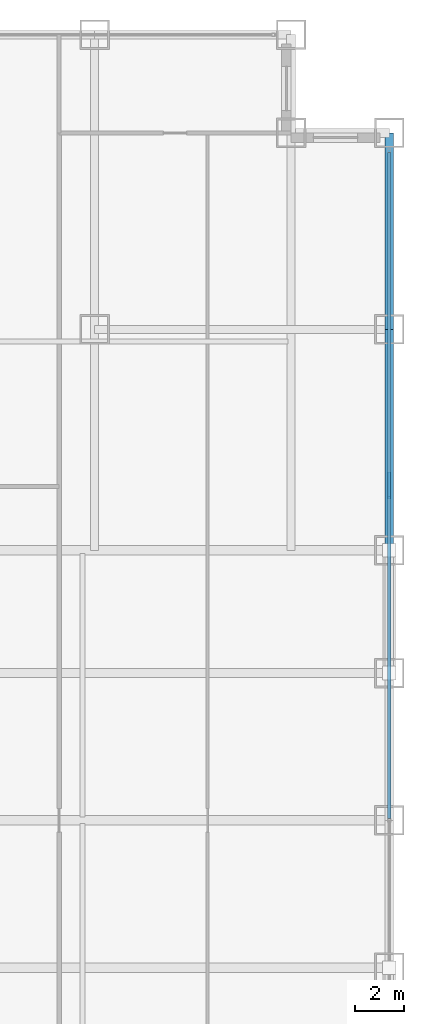
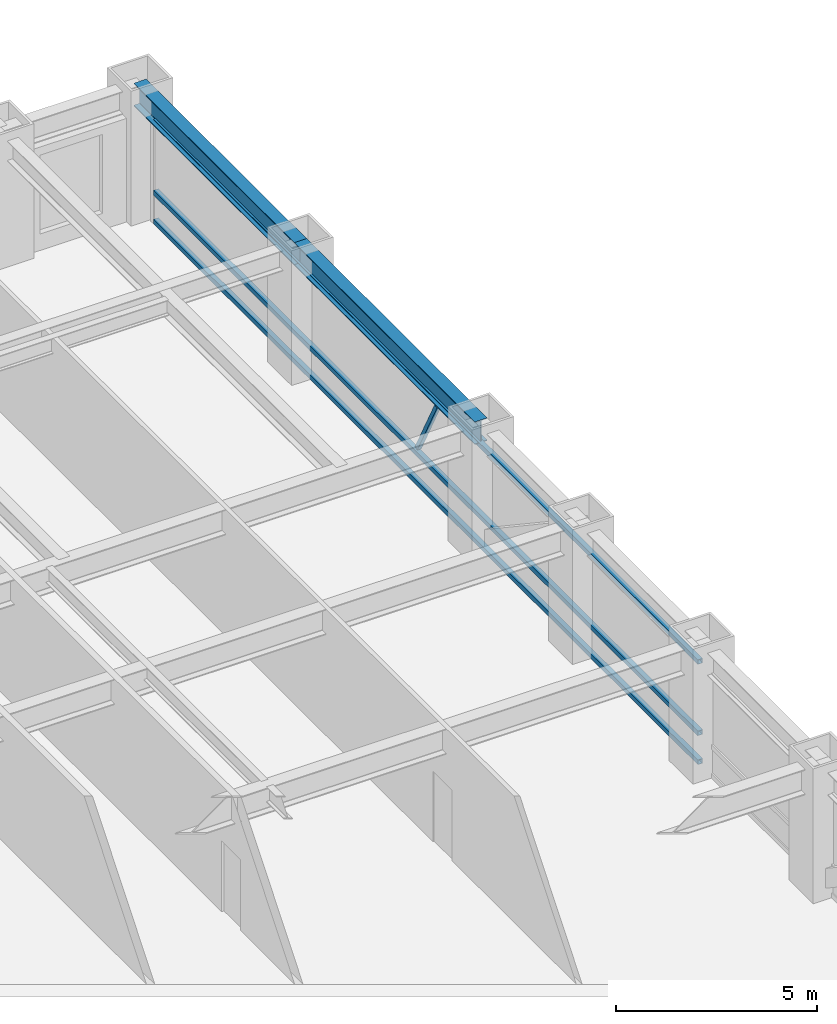
# One storey, part 15 of 27: 4 members, 2 beams, 1 element without a shape of its own.
"""IFC4 building model written with IfcOpenShell, lengths in metres."""

from ifc_helpers import new_model, si_unit, direction, frame, origin, origin_2d, place, context, subcontext, project, spatial, hollow_rectangle, i_section, extrude, source, transform, mapped, material, material_profile, profile_set, type_object, element, aggregate, save


model = new_model("IFC4")

# Units and contexts
model_context = context("Model", 3, precision=1e-05, world=origin(), true_north=direction((0.0, 1.0)))
body_context = subcontext(model_context, "Body", "Model", "MODEL_VIEW")
ifc_project = project(units=[si_unit("LENGTHUNIT", "METRE"), si_unit("AREAUNIT", "SQUARE_METRE"), si_unit("VOLUMEUNIT", "CUBIC_METRE"), si_unit("PLANEANGLEUNIT", "RADIAN"), si_unit("MASSUNIT", "GRAM", prefix="KILO")], contexts=[model_context])

# Site, building, storey
site_placement = place(None, origin())
site = spatial("IfcSite", under=ifc_project, at=site_placement, CompositionType="ELEMENT")
building_placement = place(site_placement, origin())
building = spatial("IfcBuilding", under=site, at=building_placement, Name="Khorayat Bourse Tower", CompositionType="ELEMENT")
storey_placement = place(building_placement, frame((0.0, 0.0, 140.60009765625)))
storey = spatial("IfcBuildingStorey", under=building, at=storey_placement, Name="L32", CompositionType="ELEMENT", Elevation=140.60009765625)

# Beams
ifc_material_1 = material(Name="Steel ASTM A992 Grade 50", Category="steel")
ifc_material_profile_1 = material_profile(ifc_material_1, i_section(OverallWidth=0.35498046875, OverallDepth=0.695068359375, WebThickness=0.015380859375, FlangeThickness=0.02490234375, FilletRadius=0.01806640625, at=origin_2d()), Name="W690X217")
ifc_profile_set_1 = profile_set([ifc_material_profile_1], Name="Steel ASTM A992 Grade 50")
beam_type = type_object("IfcBeamType", Name="BM-SPAN-690", PredefinedType="SPANDREL", material=ifc_profile_set_1)
shared_shape_1 = source(origin(), body_context, "Body", "SweptSolid", [
    extrude(i_section(OverallWidth=0.35498046875, OverallDepth=0.695068359375, WebThickness=0.015380859375, FlangeThickness=0.02490234375, FilletRadius=0.01806640625, at=origin_2d()), origin(), (0.0, 0.0, 1.0), 9.0),
])
beam_1_placement = place(storey_placement, frame((32.0, 11.0, 3.492431640625), z_axis=(0.0, 1.0, 0.0), x_axis=(-1.0, 0.0, 0.0)))
element("IfcBeam", 1, at=beam_1_placement, inside=storey, type_object=beam_type, Name="L32 BM-SPAN-690 BM-L32-SPN-040", PredefinedType="SPANDREL", context=body_context, shape_type="MappedRepresentation", body=[
    mapped(shared_shape_1, transform((0.0, 0.0, 0.0), scale=1.0)),
])
shared_shape_2 = source(origin(), body_context, "Body", "SweptSolid", [
    extrude(i_section(OverallWidth=0.35498046875, OverallDepth=0.695068359375, WebThickness=0.015380859375, FlangeThickness=0.02490234375, FilletRadius=0.01806640625, at=origin_2d()), origin(), (0.0, 0.0, 1.0), 8.0),
])
beam_2_placement = place(storey_placement, frame((32.0, 20.0, 3.492431640625), z_axis=(0.0, 1.0, 0.0), x_axis=(-1.0, 0.0, 0.0)))
element("IfcBeam", 2, at=beam_2_placement, inside=storey, type_object=beam_type, Name="L32 BM-SPAN-690 BM-L32-SPN-041", PredefinedType="SPANDREL", context=body_context, shape_type="MappedRepresentation", body=[
    mapped(shared_shape_2, transform((0.0, 0.0, 0.0), scale=1.0)),
])

# Curtain wall, members
ifc_material_2 = material(Name="Aluminium EN AW-6063 T6", Category="aluminium")
curtain_wall_type = type_object("IfcCurtainWallType", Name="CW-SYS-02", PredefinedType="NOTDEFINED", material=ifc_material_2)
curtain_wall_placement = place(storey_placement, origin())
curtain_wall = element("IfcCurtainWall", 3, at=curtain_wall_placement, inside=storey, type_object=curtain_wall_type, Name="L32 Curtain Wall CW-L32-E1", PredefinedType="NOTDEFINED")
ifc_material_profile_2 = material_profile(ifc_material_2, hollow_rectangle(XDim=0.139892578125, YDim=0.139892578125, WallThickness=0.006103515625, at=origin_2d()), Name="ALU 140x140x6")
ifc_profile_set_2 = profile_set([ifc_material_profile_2], Name="Aluminium EN AW-6063 T6")
member_type_1 = type_object("IfcMemberType", Name="CWT-HORZ-140", PredefinedType="USERDEFINED", material=ifc_profile_set_2)
shared_shape_3 = source(origin(), body_context, "Body", "SweptSolid", [
    extrude(hollow_rectangle(XDim=0.139892578125, YDim=0.139892578125, WallThickness=0.006103515625, at=origin_2d()), origin(), (0.0, 0.0, 1.0), 27.139892578125),
])
member_1_placement = place(storey_placement, frame((32.0, 0.070068359375, 0.06982421875), z_axis=(0.0, 1.0, 0.0), x_axis=(-1.0, 0.0, 0.0)))
member_1 = element("IfcMember", 4, at=member_1_placement, type_object=member_type_1, Name="CW-L32-E1 Horizontal Transom 2-1", ObjectType="TRANSOM", PredefinedType="USERDEFINED", context=body_context, shape_type="MappedRepresentation", body=[
    mapped(shared_shape_3, transform((0.0, 0.0, 0.0), scale=1.0)),
])
member_2_placement = place(storey_placement, frame((32.0, 0.070068359375, 0.949951171875), z_axis=(0.0, 1.0, 0.0), x_axis=(-1.0, 0.0, 0.0)))
member_2 = element("IfcMember", 5, at=member_2_placement, type_object=member_type_1, Name="CW-L32-E1 Horizontal Transom 2-2", ObjectType="TRANSOM", PredefinedType="USERDEFINED", context=body_context, shape_type="MappedRepresentation", body=[
    mapped(shared_shape_3, transform((0.0, 0.0, 0.0), scale=1.0)),
])
member_3_placement = place(storey_placement, frame((32.0, 0.070068359375, 3.119873046875), z_axis=(0.0, 1.0, 0.0), x_axis=(-1.0, 0.0, 0.0)))
member_3 = element("IfcMember", 6, at=member_3_placement, type_object=member_type_1, Name="CW-L32-E1 Horizontal Transom 2-3", ObjectType="TRANSOM", PredefinedType="USERDEFINED", context=body_context, shape_type="MappedRepresentation", body=[
    mapped(shared_shape_3, transform((0.0, 0.0, 0.0), scale=1.0)),
])
ifc_material_profile_3 = material_profile(ifc_material_2, hollow_rectangle(XDim=0.1201171875, YDim=0.1201171875, WallThickness=0.0048828125, at=origin_2d()), Name="ALU 120x120x5")
ifc_profile_set_3 = profile_set([ifc_material_profile_3], Name="Aluminium EN AW-6063 T6")
member_type_2 = type_object("IfcMemberType", Name="CWM-DIAG-120", PredefinedType="MULLION", material=ifc_profile_set_3)
shared_shape_4 = source(origin(), body_context, "Body", "SweptSolid", [
    extrude(hollow_rectangle(XDim=0.1201171875, YDim=0.1201171875, WallThickness=0.0048828125, at=origin_2d()), origin(), (0.0, 0.0, 1.0), 2.11328125),
])
member_4_placement = place(storey_placement, frame((32.0, 14.132080078125, 1.099853515625), z_axis=(0.0, -0.465694055905, 0.884945787207), x_axis=(1.0, 0.0, 0.0)))
member_4 = element("IfcMember", 7, at=member_4_placement, type_object=member_type_2, Name="CW-L32-E1 Faceted Diagonal Mullion 2", PredefinedType="MULLION", context=body_context, shape_type="MappedRepresentation", body=[
    mapped(shared_shape_4, transform((0.0, 0.0, 0.0), scale=1.0)),
])
aggregate(curtain_wall, [member_1, member_2, member_3, member_4])

save(model, "model.ifc")
